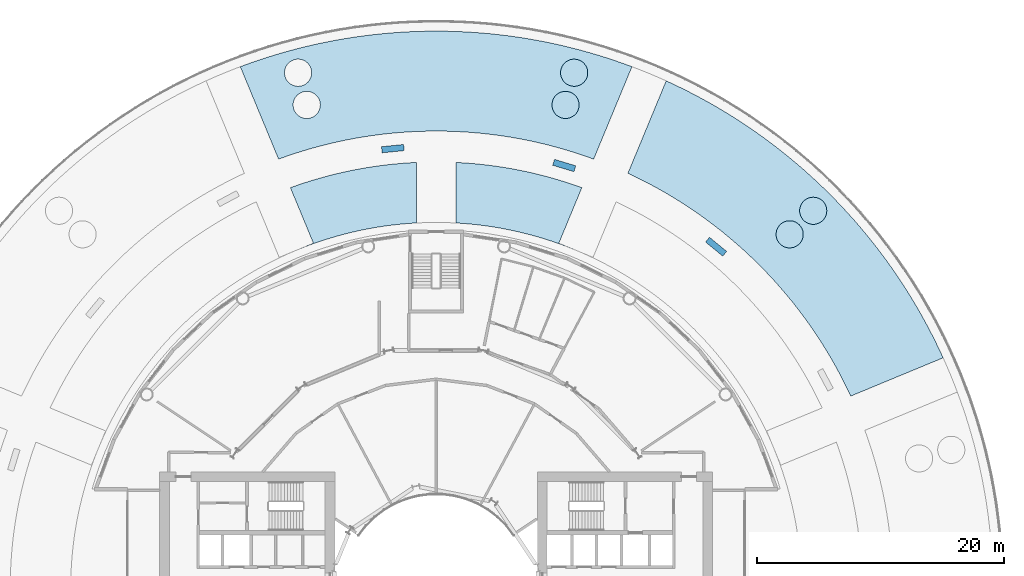
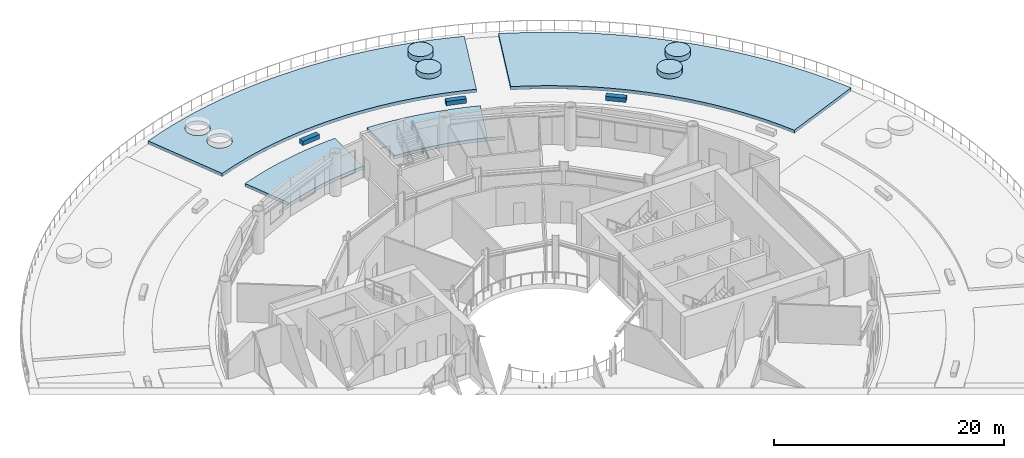
# One storey, part 9 of 19: 11 slabs.
"""IFC4 building model written with IfcOpenShell, lengths in metres."""

from ifc_helpers import new_model, si_unit, direction, frame, origin, place, context, subcontext, project, spatial, polyline, outline, extrude, material, layer, layer_set, type_object, element, save


model = new_model("IFC4")

# Units and contexts
model_context = context("Model", 3, precision=1e-05, world=origin(), true_north=direction((0.0, 1.0)))
body_context = subcontext(model_context, "Body", "Model", "MODEL_VIEW")
ifc_project = project(units=[si_unit("LENGTHUNIT", "METRE"), si_unit("AREAUNIT", "SQUARE_METRE"), si_unit("VOLUMEUNIT", "CUBIC_METRE"), si_unit("PLANEANGLEUNIT", "RADIAN"), si_unit("MASSUNIT", "GRAM", prefix="KILO")], contexts=[model_context])

# Site, building, storey
site_placement = place(None, origin())
site = spatial("IfcSite", under=ifc_project, at=site_placement, CompositionType="ELEMENT")
building_placement = place(site_placement, origin())
building = spatial("IfcBuilding", under=site, at=building_placement, Name="Maasbend Ring Residences", CompositionType="ELEMENT")
storey_placement = place(building_placement, frame((0.0, 0.0, 9.60009765625)))
storey = spatial("IfcBuildingStorey", under=building, at=storey_placement, Name="L02", CompositionType="ELEMENT", Elevation=9.60009765625)

# Slabs
ifc_material_1 = material(Name="Timber slats on steel frame", Category="steel")
ifc_layer_1 = layer(ifc_material_1, 0.449951171875)
ifc_layer_set_1 = layer_set([ifc_layer_1], Name="BENCH-DK")
slab_type_1 = type_object("IfcSlabType", Name="BENCH-DK", PredefinedType="USERDEFINED", material=ifc_layer_set_1)
slab_1_placement = place(storey_placement, frame((0.0, 0.0, 0.0498046875)))
element("IfcSlab", 1, at=slab_1_placement, inside=storey, type_object=slab_type_1, Name="Garden bench 3", ObjectType="BENCH", PredefinedType="USERDEFINED", context=body_context, shape_type="SweptSolid", body=[
    extrude(outline(polyline([(23.533935546875, 27.257080078125), (22.14208984375, 28.39892578125), (21.824951171875, 28.012939453125), (23.217041015625, 26.87109375), (23.533935546875, 27.257080078125)])), origin(), (0.0, 0.0, 1.0), 0.4501953125),
])
slab_2_placement = place(storey_placement, frame((0.0, 0.0, 0.0498046875)))
element("IfcSlab", 2, at=slab_2_placement, inside=storey, type_object=slab_type_1, Name="Garden bench 4", ObjectType="BENCH", PredefinedType="USERDEFINED", context=body_context, shape_type="SweptSolid", body=[
    extrude(outline(polyline([(11.31103515625, 34.18896484375), (9.589111328125, 34.7109375), (9.444091796875, 34.23291015625), (11.166015625, 33.7099609375), (11.31103515625, 34.18896484375)])), origin(), (0.0, 0.0, 1.0), 0.4501953125),
])
slab_3_placement = place(storey_placement, frame((0.0, 0.0, 0.0498046875)))
element("IfcSlab", 3, at=slab_3_placement, inside=storey, type_object=slab_type_1, Name="Garden bench 5", ObjectType="BENCH", PredefinedType="USERDEFINED", context=body_context, shape_type="SweptSolid", body=[
    extrude(outline(polyline([(-2.633056640625, 35.9150390625), (-4.424072265625, 35.738037109375), (-4.375, 35.240966796875), (-2.583984375, 35.4169921875), (-2.633056640625, 35.9150390625)])), origin(), (0.0, 0.0, 1.0), 0.4501953125),
])
ifc_material_2 = material(Name="Lawn and planting")
ifc_layer_2 = layer(ifc_material_2, 0.89990234375)
ifc_layer_set_2 = layer_set([ifc_layer_2], Name="PLANTER-DK")
slab_type_2 = type_object("IfcSlabType", Name="PLANTER-DK", PredefinedType="USERDEFINED", material=ifc_layer_set_2)
slab_4_placement = place(storey_placement, origin())
element("IfcSlab", 4, at=slab_4_placement, inside=storey, type_object=slab_type_2, Name="Lawn and planting bed 7", ObjectType="PLANTER", PredefinedType="USERDEFINED", context=body_context, shape_type="SweptSolid", body=[
    extrude(outline(polyline([(-14.4970703125, 42.70703125), (-13.7958984375, 42.93798828125), (-13.092041015625, 43.157958984375), (-12.384033203125, 43.365966796875), (-11.673095703125, 43.56298828125), (-10.9580078125, 43.748046875), (-10.240966796875, 43.922119140625), (-9.52099609375, 44.083984375), (-8.799072265625, 44.23291015625), (-8.073974609375, 44.37109375), (-7.346923828125, 44.498046875), (-6.617919921875, 44.612060546875), (-5.886962890625, 44.714111328125), (-5.154052734375, 44.803955078125), (-4.4208984375, 44.883056640625), (-3.68603515625, 44.948974609375), (-2.949951171875, 45.0029296875), (-2.212890625, 45.0458984375), (-1.47607421875, 45.075927734375), (-0.738037109375, 45.093994140625), (0.0, 45.10009765625), (0.738037109375, 45.093994140625), (1.47607421875, 45.075927734375), (2.212890625, 45.0458984375), (2.949951171875, 45.0029296875), (3.68603515625, 44.948974609375), (4.4208984375, 44.883056640625), (5.154052734375, 44.803955078125), (5.886962890625, 44.714111328125), (6.617919921875, 44.612060546875), (7.346923828125, 44.498046875), (8.073974609375, 44.37109375), (8.799072265625, 44.23291015625), (9.52099609375, 44.083984375), (10.240966796875, 43.922119140625), (10.9580078125, 43.748046875), (11.673095703125, 43.56298828125), (12.384033203125, 43.365966796875), (13.092041015625, 43.157958984375), (13.7958984375, 42.93798828125), (14.4970703125, 42.70703125), (15.194091796875, 42.464111328125), (15.864013671875, 42.218017578125), (12.760986328125, 34.72802734375), (12.465087890625, 34.8369140625), (11.89306640625, 35.035888671875), (11.318115234375, 35.22607421875), (10.740966796875, 35.406982421875), (10.159912109375, 35.577880859375), (9.575927734375, 35.739013671875), (8.989990234375, 35.89111328125), (8.402099609375, 36.032958984375), (7.81103515625, 36.166015625), (7.218017578125, 36.2890625), (6.6240234375, 36.402099609375), (6.027099609375, 36.506103515625), (5.428955078125, 36.60009765625), (4.8291015625, 36.68310546875), (4.22900390625, 36.758056640625), (3.626953125, 36.822021484375), (3.02392578125, 36.8759765625), (2.419921875, 36.9208984375), (1.81591796875, 36.955078125), (1.2109375, 36.97998046875), (0.60498046875, 36.9951171875), (0.0, 37.0), (-0.60498046875, 36.9951171875), (-1.2109375, 36.97998046875), (-1.81591796875, 36.955078125), (-2.419921875, 36.9208984375), (-3.02392578125, 36.8759765625), (-3.626953125, 36.822021484375), (-4.22900390625, 36.758056640625), (-4.8291015625, 36.68310546875), (-5.428955078125, 36.60009765625), (-6.027099609375, 36.506103515625), (-6.6240234375, 36.402099609375), (-7.218017578125, 36.2890625), (-7.81103515625, 36.166015625), (-8.402099609375, 36.032958984375), (-8.989990234375, 35.89111328125), (-9.575927734375, 35.739013671875), (-10.159912109375, 35.577880859375), (-10.740966796875, 35.406982421875), (-11.318115234375, 35.22607421875), (-11.89306640625, 35.035888671875), (-12.465087890625, 34.8369140625), (-12.760986328125, 34.72802734375), (-15.864013671875, 42.218017578125), (-15.194091796875, 42.464111328125), (-14.4970703125, 42.70703125)]), holes=[polyline([(12.134033203125, 41.177978515625), (12.197021484375, 41.306884765625), (12.243896484375, 41.443115234375), (12.27197265625, 41.583984375), (12.281005859375, 41.72802734375), (12.27197265625, 41.8720703125), (12.243896484375, 42.012939453125), (12.197021484375, 42.14892578125), (12.134033203125, 42.278076171875), (12.053955078125, 42.39794921875), (11.958984375, 42.506103515625), (11.85107421875, 42.60107421875), (11.73095703125, 42.680908203125), (11.60205078125, 42.743896484375), (11.466064453125, 42.791015625), (11.324951171875, 42.819091796875), (11.180908203125, 42.827880859375), (11.037109375, 42.819091796875), (10.89599609375, 42.791015625), (10.760009765625, 42.743896484375), (10.631103515625, 42.680908203125), (10.510986328125, 42.60107421875), (10.403076171875, 42.506103515625), (10.30810546875, 42.39794921875), (10.22802734375, 42.278076171875), (10.1650390625, 42.14892578125), (10.117919921875, 42.012939453125), (10.090087890625, 41.8720703125), (10.0810546875, 41.72802734375), (10.090087890625, 41.583984375), (10.117919921875, 41.443115234375), (10.1650390625, 41.306884765625), (10.22802734375, 41.177978515625), (10.30810546875, 41.05810546875), (10.403076171875, 40.949951171875), (10.510986328125, 40.85498046875), (10.631103515625, 40.77490234375), (10.760009765625, 40.7119140625), (10.89599609375, 40.6650390625), (11.037109375, 40.636962890625), (11.180908203125, 40.6279296875), (11.324951171875, 40.636962890625), (11.466064453125, 40.6650390625), (11.60205078125, 40.7119140625), (11.73095703125, 40.77490234375), (11.85107421875, 40.85498046875), (11.958984375, 40.949951171875), (12.053955078125, 41.05810546875), (12.134033203125, 41.177978515625)]), polyline([(11.43505859375, 38.570068359375), (11.498046875, 38.698974609375), (11.544921875, 38.8349609375), (11.572998046875, 38.97607421875), (11.58203125, 39.1201171875), (11.572998046875, 39.263916015625), (11.544921875, 39.405029296875), (11.498046875, 39.541015625), (11.43505859375, 39.669921875), (11.35498046875, 39.7900390625), (11.260009765625, 39.89794921875), (11.152099609375, 39.992919921875), (11.031982421875, 40.072998046875), (10.903076171875, 40.135986328125), (10.76708984375, 40.18310546875), (10.6259765625, 40.2109375), (10.48193359375, 40.219970703125), (10.339111328125, 40.2109375), (10.197021484375, 40.18310546875), (10.06103515625, 40.135986328125), (9.931884765625, 40.072998046875), (9.81298828125, 39.992919921875), (9.7041015625, 39.89794921875), (9.60888671875, 39.7900390625), (9.530029296875, 39.669921875), (9.466064453125, 39.541015625), (9.419921875, 39.405029296875), (9.39208984375, 39.263916015625), (9.382080078125, 39.1201171875), (9.39208984375, 38.97607421875), (9.419921875, 38.8349609375), (9.466064453125, 38.698974609375), (9.530029296875, 38.570068359375), (9.60888671875, 38.449951171875), (9.7041015625, 38.342041015625), (9.81298828125, 38.2470703125), (9.931884765625, 38.1669921875), (10.06103515625, 38.10400390625), (10.197021484375, 38.056884765625), (10.339111328125, 38.029052734375), (10.48193359375, 38.02001953125), (10.6259765625, 38.029052734375), (10.76708984375, 38.056884765625), (10.903076171875, 38.10400390625), (11.031982421875, 38.1669921875), (11.152099609375, 38.2470703125), (11.260009765625, 38.342041015625), (11.35498046875, 38.449951171875), (11.43505859375, 38.570068359375)]), polyline([(-9.530029296875, 38.570068359375), (-9.466064453125, 38.698974609375), (-9.419921875, 38.8349609375), (-9.39208984375, 38.97607421875), (-9.382080078125, 39.1201171875), (-9.39208984375, 39.263916015625), (-9.419921875, 39.405029296875), (-9.466064453125, 39.541015625), (-9.530029296875, 39.669921875), (-9.60888671875, 39.7900390625), (-9.7041015625, 39.89794921875), (-9.81298828125, 39.992919921875), (-9.931884765625, 40.072998046875), (-10.06103515625, 40.135986328125), (-10.197021484375, 40.18310546875), (-10.339111328125, 40.2109375), (-10.48193359375, 40.219970703125), (-10.6259765625, 40.2109375), (-10.76708984375, 40.18310546875), (-10.903076171875, 40.135986328125), (-11.031982421875, 40.072998046875), (-11.152099609375, 39.992919921875), (-11.260009765625, 39.89794921875), (-11.35498046875, 39.7900390625), (-11.43505859375, 39.669921875), (-11.498046875, 39.541015625), (-11.544921875, 39.405029296875), (-11.572998046875, 39.263916015625), (-11.58203125, 39.1201171875), (-11.572998046875, 38.97607421875), (-11.544921875, 38.8349609375), (-11.498046875, 38.698974609375), (-11.43505859375, 38.570068359375), (-11.35498046875, 38.449951171875), (-11.260009765625, 38.342041015625), (-11.152099609375, 38.2470703125), (-11.031982421875, 38.1669921875), (-10.903076171875, 38.10400390625), (-10.76708984375, 38.056884765625), (-10.6259765625, 38.029052734375), (-10.48193359375, 38.02001953125), (-10.339111328125, 38.029052734375), (-10.197021484375, 38.056884765625), (-10.06103515625, 38.10400390625), (-9.931884765625, 38.1669921875), (-9.81298828125, 38.2470703125), (-9.7041015625, 38.342041015625), (-9.60888671875, 38.449951171875), (-9.530029296875, 38.570068359375)]), polyline([(-10.22802734375, 41.177978515625), (-10.1650390625, 41.306884765625), (-10.117919921875, 41.443115234375), (-10.090087890625, 41.583984375), (-10.0810546875, 41.72802734375), (-10.090087890625, 41.8720703125), (-10.117919921875, 42.012939453125), (-10.1650390625, 42.14892578125), (-10.22802734375, 42.278076171875), (-10.30810546875, 42.39794921875), (-10.403076171875, 42.506103515625), (-10.510986328125, 42.60107421875), (-10.631103515625, 42.680908203125), (-10.760009765625, 42.743896484375), (-10.89599609375, 42.791015625), (-11.037109375, 42.819091796875), (-11.180908203125, 42.827880859375), (-11.324951171875, 42.819091796875), (-11.466064453125, 42.791015625), (-11.60205078125, 42.743896484375), (-11.73095703125, 42.680908203125), (-11.85107421875, 42.60107421875), (-11.958984375, 42.506103515625), (-12.053955078125, 42.39794921875), (-12.134033203125, 42.278076171875), (-12.197021484375, 42.14892578125), (-12.243896484375, 42.012939453125), (-12.27197265625, 41.8720703125), (-12.281005859375, 41.72802734375), (-12.27197265625, 41.583984375), (-12.243896484375, 41.443115234375), (-12.197021484375, 41.306884765625), (-12.134033203125, 41.177978515625), (-12.053955078125, 41.05810546875), (-11.958984375, 40.949951171875), (-11.85107421875, 40.85498046875), (-11.73095703125, 40.77490234375), (-11.60205078125, 40.7119140625), (-11.466064453125, 40.6650390625), (-11.324951171875, 40.636962890625), (-11.180908203125, 40.6279296875), (-11.037109375, 40.636962890625), (-10.89599609375, 40.6650390625), (-10.760009765625, 40.7119140625), (-10.631103515625, 40.77490234375), (-10.510986328125, 40.85498046875), (-10.403076171875, 40.949951171875), (-10.30810546875, 41.05810546875), (-10.22802734375, 41.177978515625)])]), origin(), (0.0, 0.0, 1.0), 0.349853515625),
])
slab_5_placement = place(storey_placement, origin())
element("IfcSlab", 5, at=slab_5_placement, inside=storey, type_object=slab_type_2, Name="Lawn and planting bed 8", ObjectType="PLANTER", PredefinedType="USERDEFINED", context=body_context, shape_type="SweptSolid", body=[
    extrude(outline(polyline([(19.947021484375, 40.448974609375), (20.60595703125, 40.116943359375), (21.260009765625, 39.77490234375), (21.907958984375, 39.4208984375), (22.550048828125, 39.05810546875), (23.18603515625, 38.68408203125), (23.81591796875, 38.299072265625), (24.43896484375, 37.904052734375), (25.055908203125, 37.4990234375), (25.666015625, 37.083984375), (26.27001953125, 36.658935546875), (26.865966796875, 36.22509765625), (27.455078125, 35.780029296875), (28.037109375, 35.325927734375), (28.611083984375, 34.863037109375), (29.177978515625, 34.389892578125), (29.736083984375, 33.907958984375), (30.287109375, 33.4169921875), (30.830078125, 32.9169921875), (31.364013671875, 32.407958984375), (31.89111328125, 31.89111328125), (32.407958984375, 31.364013671875), (32.9169921875, 30.830078125), (33.4169921875, 30.287109375), (33.907958984375, 29.736083984375), (34.389892578125, 29.177978515625), (34.863037109375, 28.611083984375), (35.325927734375, 28.037109375), (35.780029296875, 27.455078125), (36.22509765625, 26.865966796875), (36.658935546875, 26.27001953125), (37.083984375, 25.666015625), (37.4990234375, 25.055908203125), (37.904052734375, 24.43896484375), (38.299072265625, 23.81591796875), (38.68408203125, 23.18603515625), (39.05810546875, 22.550048828125), (39.4208984375, 21.907958984375), (39.77490234375, 21.260009765625), (40.116943359375, 20.60595703125), (40.448974609375, 19.947021484375), (40.77001953125, 19.282958984375), (41.070068359375, 18.635009765625), (33.580078125, 15.532958984375), (33.447998046875, 15.820068359375), (33.18408203125, 16.364990234375), (32.912109375, 16.905029296875), (32.631103515625, 17.44189453125), (32.341064453125, 17.972900390625), (32.04296875, 18.5), (31.736083984375, 19.02197265625), (31.419921875, 19.5390625), (31.096923828125, 20.050048828125), (30.763916015625, 20.555908203125), (30.424072265625, 21.056884765625), (30.074951171875, 21.552001953125), (29.718994140625, 22.041015625), (29.35400390625, 22.52392578125), (28.98193359375, 23.0009765625), (28.60107421875, 23.472900390625), (28.214111328125, 23.93701171875), (27.818115234375, 24.39599609375), (27.4150390625, 24.847900390625), (27.0048828125, 25.29296875), (26.587890625, 25.73095703125), (26.1630859375, 26.1630859375), (25.73095703125, 26.587890625), (25.29296875, 27.0048828125), (24.847900390625, 27.4150390625), (24.39599609375, 27.818115234375), (23.93701171875, 28.214111328125), (23.472900390625, 28.60107421875), (23.0009765625, 28.98193359375), (22.52392578125, 29.35400390625), (22.041015625, 29.718994140625), (21.552001953125, 30.074951171875), (21.056884765625, 30.424072265625), (20.555908203125, 30.763916015625), (20.050048828125, 31.096923828125), (19.5390625, 31.419921875), (19.02197265625, 31.736083984375), (18.5, 32.04296875), (17.972900390625, 32.341064453125), (17.44189453125, 32.631103515625), (16.905029296875, 32.912109375), (16.364990234375, 33.18408203125), (15.820068359375, 33.447998046875), (15.532958984375, 33.580078125), (18.635009765625, 41.070068359375), (19.282958984375, 40.77001953125), (19.947021484375, 40.448974609375)]), holes=[polyline([(31.56298828125, 30.1259765625), (31.610107421875, 30.261962890625), (31.637939453125, 30.403076171875), (31.64697265625, 30.547119140625), (31.637939453125, 30.69091796875), (31.610107421875, 30.83203125), (31.56298828125, 30.968017578125), (31.5, 31.096923828125), (31.419921875, 31.217041015625), (31.324951171875, 31.324951171875), (31.217041015625, 31.419921875), (31.096923828125, 31.5), (30.968017578125, 31.56298828125), (30.83203125, 31.610107421875), (30.69091796875, 31.637939453125), (30.547119140625, 31.64697265625), (30.403076171875, 31.637939453125), (30.261962890625, 31.610107421875), (30.1259765625, 31.56298828125), (29.9970703125, 31.5), (29.876953125, 31.419921875), (29.76904296875, 31.324951171875), (29.674072265625, 31.217041015625), (29.593994140625, 31.096923828125), (29.531005859375, 30.968017578125), (29.48388671875, 30.83203125), (29.4560546875, 30.69091796875), (29.447021484375, 30.547119140625), (29.4560546875, 30.403076171875), (29.48388671875, 30.261962890625), (29.531005859375, 30.1259765625), (29.593994140625, 29.9970703125), (29.674072265625, 29.876953125), (29.76904296875, 29.76904296875), (29.876953125, 29.674072265625), (29.9970703125, 29.593994140625), (30.1259765625, 29.531005859375), (30.261962890625, 29.48388671875), (30.403076171875, 29.4560546875), (30.547119140625, 29.447021484375), (30.69091796875, 29.4560546875), (30.83203125, 29.48388671875), (30.968017578125, 29.531005859375), (31.096923828125, 29.593994140625), (31.217041015625, 29.674072265625), (31.324951171875, 29.76904296875), (31.419921875, 29.876953125), (31.5, 29.9970703125), (31.56298828125, 30.1259765625)]), polyline([(29.654052734375, 28.217041015625), (29.699951171875, 28.35302734375), (29.72802734375, 28.493896484375), (29.738037109375, 28.637939453125), (29.72802734375, 28.781005859375), (29.699951171875, 28.923095703125), (29.654052734375, 29.05908203125), (29.590087890625, 29.18798828125), (29.510986328125, 29.306884765625), (29.416015625, 29.416015625), (29.306884765625, 29.510986328125), (29.18798828125, 29.590087890625), (29.05908203125, 29.654052734375), (28.923095703125, 29.699951171875), (28.781005859375, 29.72802734375), (28.637939453125, 29.738037109375), (28.493896484375, 29.72802734375), (28.35302734375, 29.699951171875), (28.217041015625, 29.654052734375), (28.087890625, 29.590087890625), (27.968017578125, 29.510986328125), (27.860107421875, 29.416015625), (27.764892578125, 29.306884765625), (27.68505859375, 29.18798828125), (27.6220703125, 29.05908203125), (27.574951171875, 28.923095703125), (27.547119140625, 28.781005859375), (27.5380859375, 28.637939453125), (27.547119140625, 28.493896484375), (27.574951171875, 28.35302734375), (27.6220703125, 28.217041015625), (27.68505859375, 28.087890625), (27.764892578125, 27.968017578125), (27.860107421875, 27.860107421875), (27.968017578125, 27.764892578125), (28.087890625, 27.68505859375), (28.217041015625, 27.6220703125), (28.35302734375, 27.574951171875), (28.493896484375, 27.547119140625), (28.637939453125, 27.5380859375), (28.781005859375, 27.547119140625), (28.923095703125, 27.574951171875), (29.05908203125, 27.6220703125), (29.18798828125, 27.68505859375), (29.306884765625, 27.764892578125), (29.416015625, 27.860107421875), (29.510986328125, 27.968017578125), (29.590087890625, 28.087890625), (29.654052734375, 28.217041015625)])]), origin(), (0.0, 0.0, 1.0), 0.349853515625),
])
slab_6_placement = place(storey_placement, origin())
element("IfcSlab", 6, at=slab_6_placement, inside=storey, type_object=slab_type_2, Name="Lawn and planting bed 11", ObjectType="PLANTER", PredefinedType="USERDEFINED", context=body_context, shape_type="SweptSolid", body=[
    extrude(outline(polyline([(10.427001953125, 27.702880859375), (9.971923828125, 27.8701171875), (9.514892578125, 28.029052734375), (9.054931640625, 28.180908203125), (8.592041015625, 28.324951171875), (8.1279296875, 28.4619140625), (7.660888671875, 28.591064453125), (7.19189453125, 28.712890625), (6.720947265625, 28.826904296875), (6.2490234375, 28.93310546875), (5.77490234375, 29.031005859375), (5.299072265625, 29.1220703125), (4.822021484375, 29.205078125), (4.343017578125, 29.280029296875), (3.864013671875, 29.346923828125), (3.383056640625, 29.406005859375), (2.90087890625, 29.45703125), (2.4189453125, 29.5009765625), (1.93603515625, 29.537109375), (1.451904296875, 29.56396484375), (1.60009765625, 29.555908203125), (1.60009765625, 34.4619140625), (1.693115234375, 34.4580078125), (2.256103515625, 34.426025390625), (2.819091796875, 34.385009765625), (3.382080078125, 34.333984375), (3.943115234375, 34.27392578125), (4.5029296875, 34.205078125), (5.06201171875, 34.126953125), (5.6201171875, 34.0390625), (6.176025390625, 33.943115234375), (6.73095703125, 33.8369140625), (7.282958984375, 33.721923828125), (7.833984375, 33.59912109375), (8.383056640625, 33.466064453125), (8.928955078125, 33.323974609375), (9.472900390625, 33.174072265625), (10.014892578125, 33.013916015625), (10.553955078125, 32.845947265625), (11.090087890625, 32.6689453125), (11.623046875, 32.48291015625), (11.803955078125, 32.4169921875), (9.94189453125, 27.9208984375), (11.326904296875, 27.346923828125), (10.8779296875, 27.529052734375), (10.427001953125, 27.702880859375)])), origin(), (0.0, 0.0, 1.0), 0.349853515625),
])
slab_7_placement = place(storey_placement, origin())
element("IfcSlab", 7, at=slab_7_placement, inside=storey, type_object=slab_type_2, Name="Lawn and planting bed 12", ObjectType="PLANTER", PredefinedType="USERDEFINED", context=body_context, shape_type="SweptSolid", body=[
    extrude(outline(polyline([(-2.4189453125, 29.5009765625), (-2.90087890625, 29.45703125), (-3.383056640625, 29.406005859375), (-3.864013671875, 29.346923828125), (-4.343017578125, 29.280029296875), (-4.822021484375, 29.205078125), (-5.299072265625, 29.1220703125), (-5.77490234375, 29.031005859375), (-6.2490234375, 28.93310546875), (-6.720947265625, 28.826904296875), (-7.19189453125, 28.712890625), (-7.660888671875, 28.591064453125), (-8.1279296875, 28.4619140625), (-8.592041015625, 28.324951171875), (-9.054931640625, 28.180908203125), (-9.514892578125, 28.029052734375), (-9.971923828125, 27.8701171875), (-10.427001953125, 27.702880859375), (-10.8779296875, 27.529052734375), (-11.326904296875, 27.346923828125), (-9.94189453125, 27.9208984375), (-11.803955078125, 32.4169921875), (-11.623046875, 32.48291015625), (-11.090087890625, 32.6689453125), (-10.553955078125, 32.845947265625), (-10.014892578125, 33.013916015625), (-9.472900390625, 33.174072265625), (-8.928955078125, 33.323974609375), (-8.383056640625, 33.466064453125), (-7.833984375, 33.59912109375), (-7.282958984375, 33.721923828125), (-6.73095703125, 33.8369140625), (-6.176025390625, 33.943115234375), (-5.6201171875, 34.0390625), (-5.06201171875, 34.126953125), (-4.5029296875, 34.205078125), (-3.943115234375, 34.27392578125), (-3.382080078125, 34.333984375), (-2.819091796875, 34.385009765625), (-2.256103515625, 34.426025390625), (-1.693115234375, 34.4580078125), (-1.60009765625, 34.4619140625), (-1.60009765625, 29.555908203125), (-1.451904296875, 29.56396484375), (-1.93603515625, 29.537109375), (-2.4189453125, 29.5009765625)])), origin(), (0.0, 0.0, 1.0), 0.349853515625),
])
slab_8_placement = place(storey_placement, origin())
element("IfcSlab", 8, at=slab_8_placement, inside=storey, type_object=slab_type_2, Name="Tree planter 2", ObjectType="PLANTER", PredefinedType="USERDEFINED", context=body_context, shape_type="SweptSolid", body=[
    extrude(outline(polyline([(29.738037109375, 28.637939453125), (29.72802734375, 28.493896484375), (29.699951171875, 28.35302734375), (29.654052734375, 28.217041015625), (29.590087890625, 28.087890625), (29.510986328125, 27.968017578125), (29.416015625, 27.860107421875), (29.306884765625, 27.764892578125), (29.18798828125, 27.68505859375), (29.05908203125, 27.6220703125), (28.923095703125, 27.574951171875), (28.781005859375, 27.547119140625), (28.637939453125, 27.5380859375), (28.493896484375, 27.547119140625), (28.35302734375, 27.574951171875), (28.217041015625, 27.6220703125), (28.087890625, 27.68505859375), (27.968017578125, 27.764892578125), (27.860107421875, 27.860107421875), (27.764892578125, 27.968017578125), (27.68505859375, 28.087890625), (27.6220703125, 28.217041015625), (27.574951171875, 28.35302734375), (27.547119140625, 28.493896484375), (27.5380859375, 28.637939453125), (27.547119140625, 28.781005859375), (27.574951171875, 28.923095703125), (27.6220703125, 29.05908203125), (27.68505859375, 29.18798828125), (27.764892578125, 29.306884765625), (27.860107421875, 29.416015625), (27.968017578125, 29.510986328125), (28.087890625, 29.590087890625), (28.217041015625, 29.654052734375), (28.35302734375, 29.699951171875), (28.493896484375, 29.72802734375), (28.637939453125, 29.738037109375), (28.781005859375, 29.72802734375), (28.923095703125, 29.699951171875), (29.05908203125, 29.654052734375), (29.18798828125, 29.590087890625), (29.306884765625, 29.510986328125), (29.416015625, 29.416015625), (29.510986328125, 29.306884765625), (29.590087890625, 29.18798828125), (29.654052734375, 29.05908203125), (29.699951171875, 28.923095703125), (29.72802734375, 28.781005859375), (29.738037109375, 28.637939453125)])), origin(), (0.0, 0.0, 1.0), 0.89990234375),
])
slab_9_placement = place(storey_placement, origin())
element("IfcSlab", 9, at=slab_9_placement, inside=storey, type_object=slab_type_2, Name="Tree planter 3", ObjectType="PLANTER", PredefinedType="USERDEFINED", context=body_context, shape_type="SweptSolid", body=[
    extrude(outline(polyline([(11.58203125, 39.1201171875), (11.572998046875, 38.97607421875), (11.544921875, 38.8349609375), (11.498046875, 38.698974609375), (11.43505859375, 38.570068359375), (11.35498046875, 38.449951171875), (11.260009765625, 38.342041015625), (11.152099609375, 38.2470703125), (11.031982421875, 38.1669921875), (10.903076171875, 38.10400390625), (10.76708984375, 38.056884765625), (10.6259765625, 38.029052734375), (10.48193359375, 38.02001953125), (10.339111328125, 38.029052734375), (10.197021484375, 38.056884765625), (10.06103515625, 38.10400390625), (9.931884765625, 38.1669921875), (9.81298828125, 38.2470703125), (9.7041015625, 38.342041015625), (9.60888671875, 38.449951171875), (9.530029296875, 38.570068359375), (9.466064453125, 38.698974609375), (9.419921875, 38.8349609375), (9.39208984375, 38.97607421875), (9.382080078125, 39.1201171875), (9.39208984375, 39.263916015625), (9.419921875, 39.405029296875), (9.466064453125, 39.541015625), (9.530029296875, 39.669921875), (9.60888671875, 39.7900390625), (9.7041015625, 39.89794921875), (9.81298828125, 39.992919921875), (9.931884765625, 40.072998046875), (10.06103515625, 40.135986328125), (10.197021484375, 40.18310546875), (10.339111328125, 40.2109375), (10.48193359375, 40.219970703125), (10.6259765625, 40.2109375), (10.76708984375, 40.18310546875), (10.903076171875, 40.135986328125), (11.031982421875, 40.072998046875), (11.152099609375, 39.992919921875), (11.260009765625, 39.89794921875), (11.35498046875, 39.7900390625), (11.43505859375, 39.669921875), (11.498046875, 39.541015625), (11.544921875, 39.405029296875), (11.572998046875, 39.263916015625), (11.58203125, 39.1201171875)])), origin(), (0.0, 0.0, 1.0), 0.89990234375),
])
slab_10_placement = place(storey_placement, origin())
element("IfcSlab", 10, at=slab_10_placement, inside=storey, type_object=slab_type_2, Name="Tree planter 12", ObjectType="PLANTER", PredefinedType="USERDEFINED", context=body_context, shape_type="SweptSolid", body=[
    extrude(outline(polyline([(31.64697265625, 30.547119140625), (31.637939453125, 30.403076171875), (31.610107421875, 30.261962890625), (31.56298828125, 30.1259765625), (31.5, 29.9970703125), (31.419921875, 29.876953125), (31.324951171875, 29.76904296875), (31.217041015625, 29.674072265625), (31.096923828125, 29.593994140625), (30.968017578125, 29.531005859375), (30.83203125, 29.48388671875), (30.69091796875, 29.4560546875), (30.547119140625, 29.447021484375), (30.403076171875, 29.4560546875), (30.261962890625, 29.48388671875), (30.1259765625, 29.531005859375), (29.9970703125, 29.593994140625), (29.876953125, 29.674072265625), (29.76904296875, 29.76904296875), (29.674072265625, 29.876953125), (29.593994140625, 29.9970703125), (29.531005859375, 30.1259765625), (29.48388671875, 30.261962890625), (29.4560546875, 30.403076171875), (29.447021484375, 30.547119140625), (29.4560546875, 30.69091796875), (29.48388671875, 30.83203125), (29.531005859375, 30.968017578125), (29.593994140625, 31.096923828125), (29.674072265625, 31.217041015625), (29.76904296875, 31.324951171875), (29.876953125, 31.419921875), (29.9970703125, 31.5), (30.1259765625, 31.56298828125), (30.261962890625, 31.610107421875), (30.403076171875, 31.637939453125), (30.547119140625, 31.64697265625), (30.69091796875, 31.637939453125), (30.83203125, 31.610107421875), (30.968017578125, 31.56298828125), (31.096923828125, 31.5), (31.217041015625, 31.419921875), (31.324951171875, 31.324951171875), (31.419921875, 31.217041015625), (31.5, 31.096923828125), (31.56298828125, 30.968017578125), (31.610107421875, 30.83203125), (31.637939453125, 30.69091796875), (31.64697265625, 30.547119140625)])), origin(), (0.0, 0.0, 1.0), 0.89990234375),
])
slab_11_placement = place(storey_placement, origin())
element("IfcSlab", 11, at=slab_11_placement, inside=storey, type_object=slab_type_2, Name="Tree planter 13", ObjectType="PLANTER", PredefinedType="USERDEFINED", context=body_context, shape_type="SweptSolid", body=[
    extrude(outline(polyline([(12.281005859375, 41.72802734375), (12.27197265625, 41.583984375), (12.243896484375, 41.443115234375), (12.197021484375, 41.306884765625), (12.134033203125, 41.177978515625), (12.053955078125, 41.05810546875), (11.958984375, 40.949951171875), (11.85107421875, 40.85498046875), (11.73095703125, 40.77490234375), (11.60205078125, 40.7119140625), (11.466064453125, 40.6650390625), (11.324951171875, 40.636962890625), (11.180908203125, 40.6279296875), (11.037109375, 40.636962890625), (10.89599609375, 40.6650390625), (10.760009765625, 40.7119140625), (10.631103515625, 40.77490234375), (10.510986328125, 40.85498046875), (10.403076171875, 40.949951171875), (10.30810546875, 41.05810546875), (10.22802734375, 41.177978515625), (10.1650390625, 41.306884765625), (10.117919921875, 41.443115234375), (10.090087890625, 41.583984375), (10.0810546875, 41.72802734375), (10.090087890625, 41.8720703125), (10.117919921875, 42.012939453125), (10.1650390625, 42.14892578125), (10.22802734375, 42.278076171875), (10.30810546875, 42.39794921875), (10.403076171875, 42.506103515625), (10.510986328125, 42.60107421875), (10.631103515625, 42.680908203125), (10.760009765625, 42.743896484375), (10.89599609375, 42.791015625), (11.037109375, 42.819091796875), (11.180908203125, 42.827880859375), (11.324951171875, 42.819091796875), (11.466064453125, 42.791015625), (11.60205078125, 42.743896484375), (11.73095703125, 42.680908203125), (11.85107421875, 42.60107421875), (11.958984375, 42.506103515625), (12.053955078125, 42.39794921875), (12.134033203125, 42.278076171875), (12.197021484375, 42.14892578125), (12.243896484375, 42.012939453125), (12.27197265625, 41.8720703125), (12.281005859375, 41.72802734375)])), origin(), (0.0, 0.0, 1.0), 0.89990234375),
])

save(model, "model.ifc")
